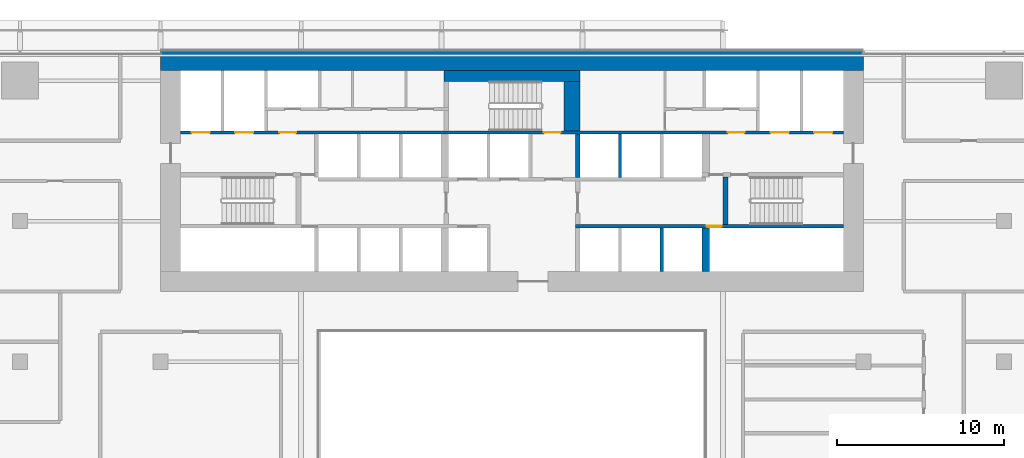
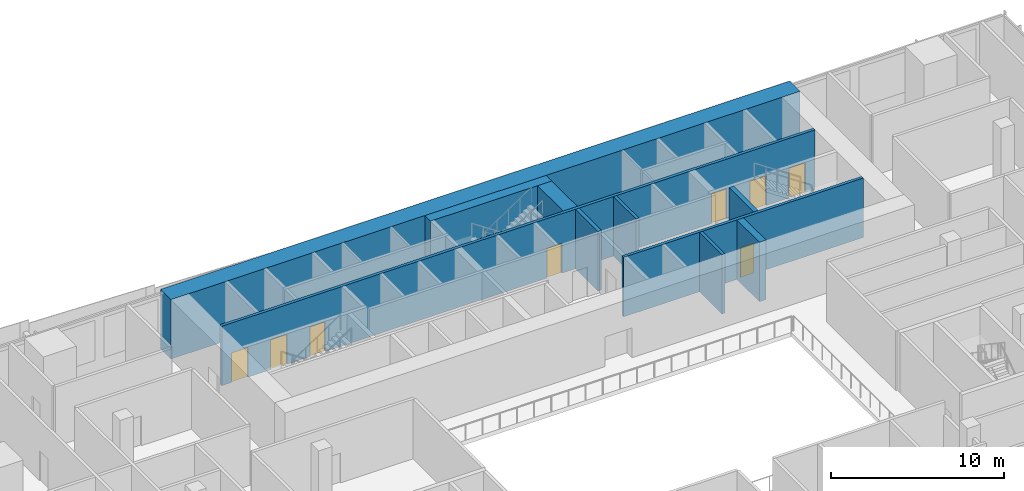
# One storey, part 16 of 24: 10 walls, 8 doors, 8 openings.
"""IFC4 building model written with IfcOpenShell, lengths in metres."""

from ifc_helpers import new_model, si_unit, direction, frame, frame_2d, origin, place, context, subcontext, project, spatial, rectangle, extrude, material, layer, layer_set, type_object, element, fill, save


model = new_model("IFC4")

# Units and contexts
model_context = context("Model", 3, precision=1e-05, world=origin(), true_north=direction((0.0, 1.0)))
body_context = subcontext(model_context, "Body", "Model", "MODEL_VIEW")
ifc_project = project(units=[si_unit("LENGTHUNIT", "METRE"), si_unit("AREAUNIT", "SQUARE_METRE"), si_unit("VOLUMEUNIT", "CUBIC_METRE"), si_unit("PLANEANGLEUNIT", "RADIAN"), si_unit("MASSUNIT", "GRAM", prefix="KILO")], contexts=[model_context])

# Site, building, storey
site_placement = place(None, origin())
site = spatial("IfcSite", under=ifc_project, at=site_placement, CompositionType="ELEMENT")
building_placement = place(site_placement, origin())
building = spatial("IfcBuilding", under=site, at=building_placement, Name="Saffron Gate Tower", CompositionType="ELEMENT")
storey_placement = place(building_placement, frame((0.0, 0.0, 28.199951171875)))
storey = spatial("IfcBuildingStorey", under=building, at=storey_placement, Name="L05", CompositionType="ELEMENT", Elevation=28.199951171875)

# Walls
ifc_material_1 = material(Name="Concrete C70", Category="concrete")
ifc_layer_1 = layer(ifc_material_1, 1.199951171875)
ifc_layer_set_1 = layer_set([ifc_layer_1], Name="CW1 RC core wall 1200 C70")
wall_type_1 = type_object("IfcWallType", Name="CW1 RC core wall 1200 C70", PredefinedType="SOLIDWALL", material=ifc_layer_set_1)
wall_1_placement = place(storey_placement, frame((66.60009765625, 75.0, 0.0), z_axis=(0.0, 0.0, 1.0), x_axis=(1.0, 0.0, 0.0)))
element("IfcWall", 1, at=wall_1_placement, inside=storey, type_object=wall_type_1, Name="Wall CW1-L05-2", PredefinedType="SOLIDWALL", context=body_context, shape_type="SweptSolid", body=[
    extrude(rectangle(XDim=42.0, YDim=1.199951171875, at=frame_2d((21.0, 0.0))), origin(), (0.0, 0.0, 1.0), 4.199951171875),
])
ifc_layer_2 = layer(ifc_material_1, 0.25)
ifc_layer_set_2 = layer_set([ifc_layer_2], Name="CW2 RC core wall 250 C70")
wall_type_2 = type_object("IfcWallType", Name="CW2 RC core wall 250 C70", PredefinedType="SOLIDWALL", material=ifc_layer_set_2)
wall_2_placement = place(storey_placement, frame((91.52490234375, 68.0, 0.0), z_axis=(0.0, 0.0, 1.0), x_axis=(0.0, 1.0, 0.0)))
element("IfcWall", 2, at=wall_2_placement, inside=storey, type_object=wall_type_2, Name="Wall CW2-L05-26", PredefinedType="SOLIDWALL", context=body_context, shape_type="SweptSolid", body=[
    extrude(rectangle(XDim=2.60009765625, YDim=0.25, at=frame_2d((1.300048828125, 0.0))), origin(), (0.0, 0.0, 1.0), 4.199951171875),
])
ifc_layer_3 = layer(ifc_material_1, 0.199951171875)
ifc_layer_set_3 = layer_set([ifc_layer_3], Name="CW3 RC core wall 200 C70")
wall_type_3 = type_object("IfcWallType", Name="CW3 RC core wall 200 C70", PredefinedType="SOLIDWALL", material=ifc_layer_set_3)
wall_3_placement = place(storey_placement, frame((96.550048828125, 62.39990234375, 0.0), z_axis=(0.0, 0.0, 1.0), x_axis=(0.0, 1.0, 0.0)))
element("IfcWall", 3, at=wall_3_placement, inside=storey, type_object=wall_type_3, Name="Wall CW3-L05-12", PredefinedType="SOLIDWALL", context=body_context, shape_type="SweptSolid", body=[
    extrude(rectangle(XDim=2.60009765625, YDim=0.199951171875, at=frame_2d((1.300048828125, 0.0))), origin(), (0.0, 0.0, 1.0), 4.199951171875),
])

# Wall, opening, door
wall_4_placement = place(storey_placement, frame((91.39990234375, 65.10009765625, 0.0), z_axis=(0.0, 0.0, 1.0), x_axis=(1.0, 0.0, 0.0)))
wall_4 = element("IfcWall", 4, at=wall_4_placement, inside=storey, type_object=wall_type_3, Name="Wall CW3-L05-15", PredefinedType="SOLIDWALL", context=body_context, shape_type="SweptSolid", body=[
    extrude(rectangle(XDim=16.0, YDim=0.199951171875, at=frame_2d((8.0, 0.0))), origin(), (0.0, 0.0, 1.0), 4.199951171875),
])
opening_1_placement = place(wall_4_placement, frame((7.830078125, 0.0, 0.0)))
opening_1 = element("IfcOpeningElement", 5, at=opening_1_placement, cuts=wall_4, Name="Opening CR-48", PredefinedType="OPENING", context=body_context, shape_type="SweptSolid", body=[
    extrude(rectangle(XDim=0.89990234375, YDim=2.10009765625, at=frame_2d((0.449951171875, 1.050048828125))), frame((0.0, 0.10986328125, 0.0), z_axis=(0.0, -1.0, 0.0), x_axis=(1.0, 0.0, 0.0)), (0.0, 0.0, 1.0), 0.219970703125),
])
ifc_material_2 = material(Name="Steel fire door set", Category="steel")
door_type_1 = type_object("IfcDoorType", Name="CD2 Riser door 900x2100 EI 60", OperationType="NOTDEFINED", PredefinedType="DOOR", material=ifc_material_2)
door_1_placement = place(opening_1_placement, origin())
door_1 = element("IfcDoor", 6, at=door_1_placement, inside=storey, type_object=door_type_1, Name="DOOR CR-48", OperationType="SINGLE_SWING_RIGHT", OverallHeight=2.10009765625, OverallWidth=0.89990234375, PredefinedType="DOOR", context=body_context, shape_type="SweptSolid", body=[
    extrude(rectangle(XDim=0.89990234375, YDim=2.10009765625, at=frame_2d((0.449951171875, 1.050048828125))), frame((0.0, 0.02490234375, 0.0), z_axis=(0.0, -1.0, 0.0), x_axis=(1.0, 0.0, 0.0)), (0.0, 0.0, 1.0), 0.050048828125),
])
fill(opening_1, door_1)

# Wall
wall_5_placement = place(storey_placement, frame((94.050048828125, 68.0, 0.0), z_axis=(0.0, 0.0, 1.0), x_axis=(0.0, 1.0, 0.0)))
element("IfcWall", 7, at=wall_5_placement, inside=storey, type_object=wall_type_3, Name="Wall CW3-L05-27", PredefinedType="SOLIDWALL", context=body_context, shape_type="SweptSolid", body=[
    extrude(rectangle(XDim=2.60009765625, YDim=0.199951171875, at=frame_2d((1.300048828125, 0.0))), origin(), (0.0, 0.0, 1.0), 4.199951171875),
])

# Wall, openings, doors
wall_6_placement = place(storey_placement, frame((67.800048828125, 70.699951171875, 0.0), z_axis=(0.0, 0.0, 1.0), x_axis=(1.0, 0.0, 0.0)))
wall_6 = element("IfcWall", 8, at=wall_6_placement, inside=storey, type_object=wall_type_3, Name="Wall CW3-L05-34", PredefinedType="SOLIDWALL", context=body_context, shape_type="SweptSolid", body=[
    extrude(rectangle(XDim=39.599853515625, YDim=0.199951171875, at=frame_2d((19.7998046875, 0.0))), origin(), (0.0, 0.0, 1.0), 4.199951171875),
])
opening_2_placement = place(wall_6_placement, frame((0.64990234375, 0.0, 0.0)))
opening_2 = element("IfcOpeningElement", 9, at=opening_2_placement, cuts=wall_6, Name="Opening LD-FF1", PredefinedType="OPENING", context=body_context, shape_type="SweptSolid", body=[
    extrude(rectangle(XDim=1.10009765625, YDim=2.10009765625, at=frame_2d((0.550048828125, 1.050048828125))), frame((0.0, 0.10986328125, 0.0), z_axis=(0.0, -1.0, 0.0), x_axis=(1.0, 0.0, 0.0)), (0.0, 0.0, 1.0), 0.219970703125),
])
opening_3_placement = place(wall_6_placement, frame((3.25, 0.0, 0.0)))
opening_3 = element("IfcOpeningElement", 10, at=opening_3_placement, cuts=wall_6, Name="Opening LD-SV1", PredefinedType="OPENING", context=body_context, shape_type="SweptSolid", body=[
    extrude(rectangle(XDim=1.10009765625, YDim=2.10009765625, at=frame_2d((0.550048828125, 1.050048828125))), frame((0.0, 0.10986328125, 0.0), z_axis=(0.0, -1.0, 0.0), x_axis=(1.0, 0.0, 0.0)), (0.0, 0.0, 1.0), 0.219970703125),
])
opening_4_placement = place(wall_6_placement, frame((5.89990234375, 0.0, 0.0)))
opening_4 = element("IfcOpeningElement", 11, at=opening_4_placement, cuts=wall_6, Name="Opening CR-03", PredefinedType="OPENING", context=body_context, shape_type="SweptSolid", body=[
    extrude(rectangle(XDim=1.0, YDim=2.10009765625, at=frame_2d((0.5, 1.050048828125))), frame((0.0, 0.10986328125, 0.0), z_axis=(0.0, -1.0, 0.0), x_axis=(1.0, 0.0, 0.0)), (0.0, 0.0, 1.0), 0.219970703125),
])
opening_5_placement = place(wall_6_placement, frame((21.699951171875, 0.0, 0.0)))
opening_5 = element("IfcOpeningElement", 12, at=opening_5_placement, cuts=wall_6, Name="Opening CR-17", PredefinedType="OPENING", context=body_context, shape_type="SweptSolid", body=[
    extrude(rectangle(XDim=1.0, YDim=2.10009765625, at=frame_2d((0.5, 1.050048828125))), frame((0.0, 0.10986328125, 0.0), z_axis=(0.0, -1.0, 0.0), x_axis=(1.0, 0.0, 0.0)), (0.0, 0.0, 1.0), 0.219970703125),
])
opening_6_placement = place(wall_6_placement, frame((32.699951171875, 0.0, 0.0)))
opening_6 = element("IfcOpeningElement", 13, at=opening_6_placement, cuts=wall_6, Name="Opening CR-04", PredefinedType="OPENING", context=body_context, shape_type="SweptSolid", body=[
    extrude(rectangle(XDim=1.0, YDim=2.10009765625, at=frame_2d((0.5, 1.050048828125))), frame((0.0, 0.10986328125, 0.0), z_axis=(0.0, -1.0, 0.0), x_axis=(1.0, 0.0, 0.0)), (0.0, 0.0, 1.0), 0.219970703125),
])
opening_7_placement = place(wall_6_placement, frame((35.25, 0.0, 0.0)))
opening_7 = element("IfcOpeningElement", 14, at=opening_7_placement, cuts=wall_6, Name="Opening LD-SV2", PredefinedType="OPENING", context=body_context, shape_type="SweptSolid", body=[
    extrude(rectangle(XDim=1.10009765625, YDim=2.10009765625, at=frame_2d((0.550048828125, 1.050048828125))), frame((0.0, 0.10986328125, 0.0), z_axis=(0.0, -1.0, 0.0), x_axis=(1.0, 0.0, 0.0)), (0.0, 0.0, 1.0), 0.219970703125),
])
opening_8_placement = place(wall_6_placement, frame((37.85009765625, 0.0, 0.0)))
opening_8 = element("IfcOpeningElement", 15, at=opening_8_placement, cuts=wall_6, Name="Opening LD-FF2", PredefinedType="OPENING", context=body_context, shape_type="SweptSolid", body=[
    extrude(rectangle(XDim=1.10009765625, YDim=2.10009765625, at=frame_2d((0.550048828125, 1.050048828125))), frame((0.0, 0.10986328125, 0.0), z_axis=(0.0, -1.0, 0.0), x_axis=(1.0, 0.0, 0.0)), (0.0, 0.0, 1.0), 0.219970703125),
])
door_type_2 = type_object("IfcDoorType", Name="CD4 Lobby door 1000x2100 EI 120", OperationType="NOTDEFINED", PredefinedType="DOOR", material=ifc_material_2)
door_2_placement = place(opening_4_placement, origin())
door_2 = element("IfcDoor", 16, at=door_2_placement, inside=storey, type_object=door_type_2, Name="DOOR CR-03", OperationType="SINGLE_SWING_LEFT", OverallHeight=2.10009765625, OverallWidth=1.0, PredefinedType="DOOR", context=body_context, shape_type="SweptSolid", body=[
    extrude(rectangle(XDim=1.0, YDim=2.10009765625, at=frame_2d((0.5, 1.050048828125))), frame((0.0, 0.02490234375, 0.0), z_axis=(0.0, -1.0, 0.0), x_axis=(1.0, 0.0, 0.0)), (0.0, 0.0, 1.0), 0.050048828125),
])
fill(opening_4, door_2)
door_3_placement = place(opening_6_placement, origin())
door_3 = element("IfcDoor", 17, at=door_3_placement, inside=storey, type_object=door_type_2, Name="DOOR CR-04", OperationType="SINGLE_SWING_RIGHT", OverallHeight=2.10009765625, OverallWidth=1.0, PredefinedType="DOOR", context=body_context, shape_type="SweptSolid", body=[
    extrude(rectangle(XDim=1.0, YDim=2.10009765625, at=frame_2d((0.5, 1.050048828125))), frame((0.0, 0.02490234375, 0.0), z_axis=(0.0, -1.0, 0.0), x_axis=(1.0, 0.0, 0.0)), (0.0, 0.0, 1.0), 0.050048828125),
])
fill(opening_6, door_3)
door_type_3 = type_object("IfcDoorType", Name="CD5 Stair door 1000x2100 EI 120", OperationType="NOTDEFINED", PredefinedType="DOOR", material=ifc_material_2)
door_4_placement = place(opening_5_placement, origin())
door_4 = element("IfcDoor", 18, at=door_4_placement, inside=storey, type_object=door_type_3, Name="DOOR CR-17", OperationType="SINGLE_SWING_RIGHT", OverallHeight=2.10009765625, OverallWidth=1.0, PredefinedType="DOOR", context=body_context, shape_type="SweptSolid", body=[
    extrude(rectangle(XDim=1.0, YDim=2.10009765625, at=frame_2d((0.5, 1.050048828125))), frame((0.0, 0.02490234375, 0.0), z_axis=(0.0, -1.0, 0.0), x_axis=(1.0, 0.0, 0.0)), (0.0, 0.0, 1.0), 0.050048828125),
])
fill(opening_5, door_4)
ifc_material_3 = material(Name="Stainless steel landing door", Category="steel")
door_type_4 = type_object("IfcDoorType", Name="LD Lift landing door 1100x2100 EI 120", OperationType="SLIDING_TO_LEFT", PredefinedType="DOOR", material=ifc_material_3)
door_5_placement = place(opening_2_placement, origin())
door_5 = element("IfcDoor", 19, at=door_5_placement, inside=storey, type_object=door_type_4, Name="LANDING DOOR LD-FF1", OperationType="SLIDING_TO_RIGHT", OverallHeight=2.10009765625, OverallWidth=1.10009765625, PredefinedType="DOOR", context=body_context, shape_type="SweptSolid", body=[
    extrude(rectangle(XDim=1.10009765625, YDim=2.10009765625, at=frame_2d((0.550048828125, 1.050048828125))), frame((0.0, 0.02490234375, 0.0), z_axis=(0.0, -1.0, 0.0), x_axis=(1.0, 0.0, 0.0)), (0.0, 0.0, 1.0), 0.050048828125),
])
fill(opening_2, door_5)
door_6_placement = place(opening_3_placement, origin())
door_6 = element("IfcDoor", 20, at=door_6_placement, inside=storey, type_object=door_type_4, Name="LANDING DOOR LD-SV1", OperationType="SLIDING_TO_RIGHT", OverallHeight=2.10009765625, OverallWidth=1.10009765625, PredefinedType="DOOR", context=body_context, shape_type="SweptSolid", body=[
    extrude(rectangle(XDim=1.10009765625, YDim=2.10009765625, at=frame_2d((0.550048828125, 1.050048828125))), frame((0.0, 0.02490234375, 0.0), z_axis=(0.0, -1.0, 0.0), x_axis=(1.0, 0.0, 0.0)), (0.0, 0.0, 1.0), 0.050048828125),
])
fill(opening_3, door_6)
door_7_placement = place(opening_7_placement, origin())
door_7 = element("IfcDoor", 21, at=door_7_placement, inside=storey, type_object=door_type_4, Name="LANDING DOOR LD-SV2", OperationType="SLIDING_TO_RIGHT", OverallHeight=2.10009765625, OverallWidth=1.10009765625, PredefinedType="DOOR", context=body_context, shape_type="SweptSolid", body=[
    extrude(rectangle(XDim=1.10009765625, YDim=2.10009765625, at=frame_2d((0.550048828125, 1.050048828125))), frame((0.0, 0.02490234375, 0.0), z_axis=(0.0, -1.0, 0.0), x_axis=(1.0, 0.0, 0.0)), (0.0, 0.0, 1.0), 0.050048828125),
])
fill(opening_7, door_7)
door_8_placement = place(opening_8_placement, origin())
door_8 = element("IfcDoor", 22, at=door_8_placement, inside=storey, type_object=door_type_4, Name="LANDING DOOR LD-FF2", OperationType="SLIDING_TO_RIGHT", OverallHeight=2.10009765625, OverallWidth=1.10009765625, PredefinedType="DOOR", context=body_context, shape_type="SweptSolid", body=[
    extrude(rectangle(XDim=1.10009765625, YDim=2.10009765625, at=frame_2d((0.550048828125, 1.050048828125))), frame((0.0, 0.02490234375, 0.0), z_axis=(0.0, -1.0, 0.0), x_axis=(1.0, 0.0, 0.0)), (0.0, 0.0, 1.0), 0.050048828125),
])
fill(opening_8, door_8)

# Walls
ifc_layer_4 = layer(ifc_material_1, 0.449951171875)
ifc_layer_set_4 = layer_set([ifc_layer_4], Name="CW4 RC core wall 450 C70")
wall_type_4 = type_object("IfcWallType", Name="CW4 RC core wall 450 C70", PredefinedType="SOLIDWALL", material=ifc_layer_set_4)
wall_7_placement = place(storey_placement, frame((99.175048828125, 62.39990234375, 0.0), z_axis=(0.0, 0.0, 1.0), x_axis=(0.0, 1.0, 0.0)))
element("IfcWall", 23, at=wall_7_placement, inside=storey, type_object=wall_type_4, Name="Wall CW4-L05-13", PredefinedType="SOLIDWALL", context=body_context, shape_type="SweptSolid", body=[
    extrude(rectangle(XDim=2.60009765625, YDim=0.449951171875, at=frame_2d((1.300048828125, 0.0))), origin(), (0.0, 0.0, 1.0), 4.199951171875),
])
ifc_layer_5 = layer(ifc_material_1, 0.300048828125)
ifc_layer_set_5 = layer_set([ifc_layer_5], Name="CW5 RC core wall 300 C70")
wall_type_5 = type_object("IfcWallType", Name="CW5 RC core wall 300 C70", PredefinedType="SOLIDWALL", material=ifc_layer_set_5)
wall_8_placement = place(storey_placement, frame((100.35009765625, 65.199951171875, 0.0), z_axis=(0.0, 0.0, 1.0), x_axis=(0.0, 1.0, 0.0)))
element("IfcWall", 24, at=wall_8_placement, inside=storey, type_object=wall_type_5, Name="Wall CW5-L05-19", PredefinedType="SOLIDWALL", context=body_context, shape_type="SweptSolid", body=[
    extrude(rectangle(XDim=2.85009765625, YDim=0.300048828125, at=frame_2d((1.425048828125, 0.0))), origin(), (0.0, 0.0, 1.0), 4.199951171875),
])
ifc_layer_6 = layer(ifc_material_1, 0.949951171875)
ifc_layer_set_6 = layer_set([ifc_layer_6], Name="CW7 RC core wall 950 C70")
wall_type_6 = type_object("IfcWallType", Name="CW7 RC core wall 950 C70", PredefinedType="SOLIDWALL", material=ifc_layer_set_6)
wall_9_placement = place(storey_placement, frame((91.175048828125, 70.800048828125, 0.0), z_axis=(0.0, 0.0, 1.0), x_axis=(0.0, 1.0, 0.0)))
element("IfcWall", 25, at=wall_9_placement, inside=storey, type_object=wall_type_6, Name="Wall CW7-L05-38", PredefinedType="SOLIDWALL", context=body_context, shape_type="SweptSolid", body=[
    extrude(rectangle(XDim=2.949951171875, YDim=0.949951171875, at=frame_2d((1.47509765625, 0.0))), origin(), (0.0, 0.0, 1.0), 4.199951171875),
])
ifc_layer_7 = layer(ifc_material_1, 0.64990234375)
ifc_layer_set_7 = layer_set([ifc_layer_7], Name="CW9 RC core wall 650 C70")
wall_type_7 = type_object("IfcWallType", Name="CW9 RC core wall 650 C70", PredefinedType="SOLIDWALL", material=ifc_layer_set_7)
wall_10_placement = place(storey_placement, frame((83.550048828125, 74.074951171875, 0.0), z_axis=(0.0, 0.0, 1.0), x_axis=(1.0, 0.0, 0.0)))
element("IfcWall", 26, at=wall_10_placement, inside=storey, type_object=wall_type_7, Name="Wall CW9-L05-52", PredefinedType="SOLIDWALL", context=body_context, shape_type="SweptSolid", body=[
    extrude(rectangle(XDim=8.099853515625, YDim=0.64990234375, at=frame_2d((4.0498046875, 0.0))), origin(), (0.0, 0.0, 1.0), 4.199951171875),
])

save(model, "model.ifc")
